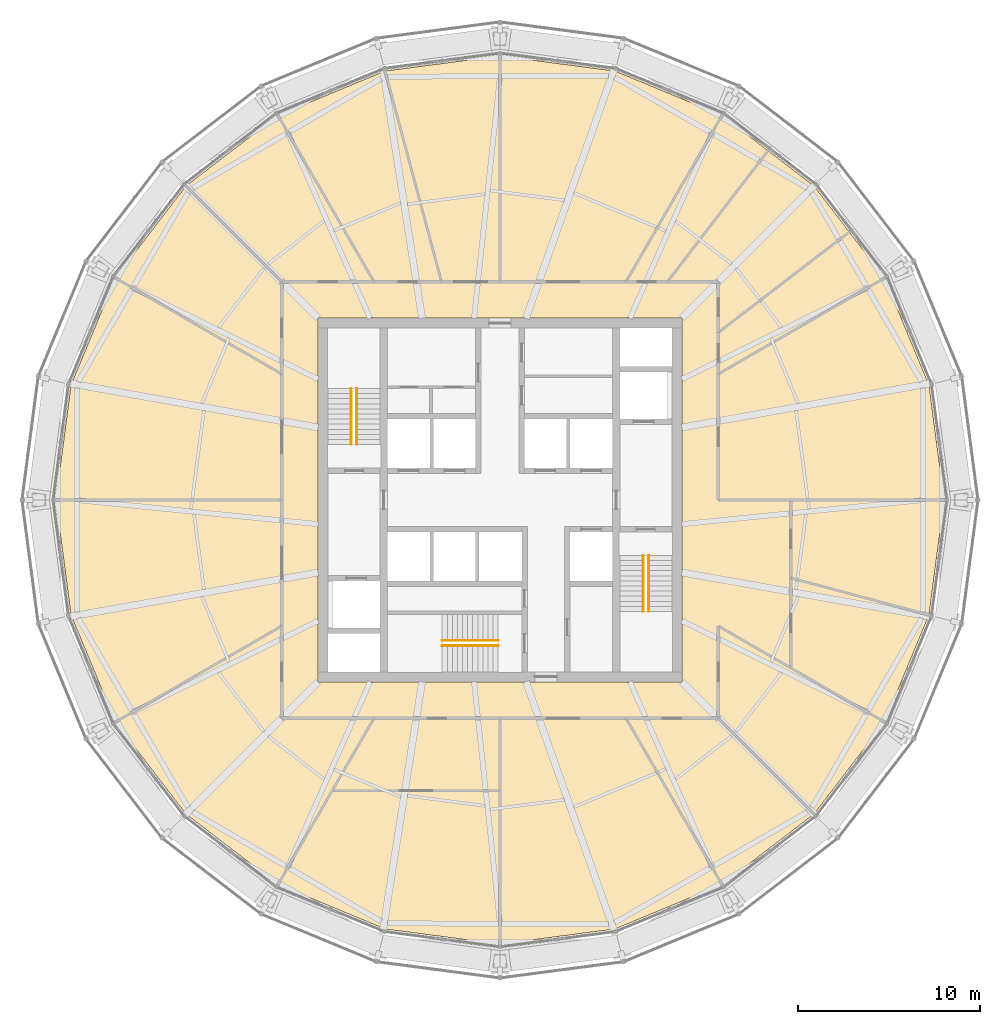
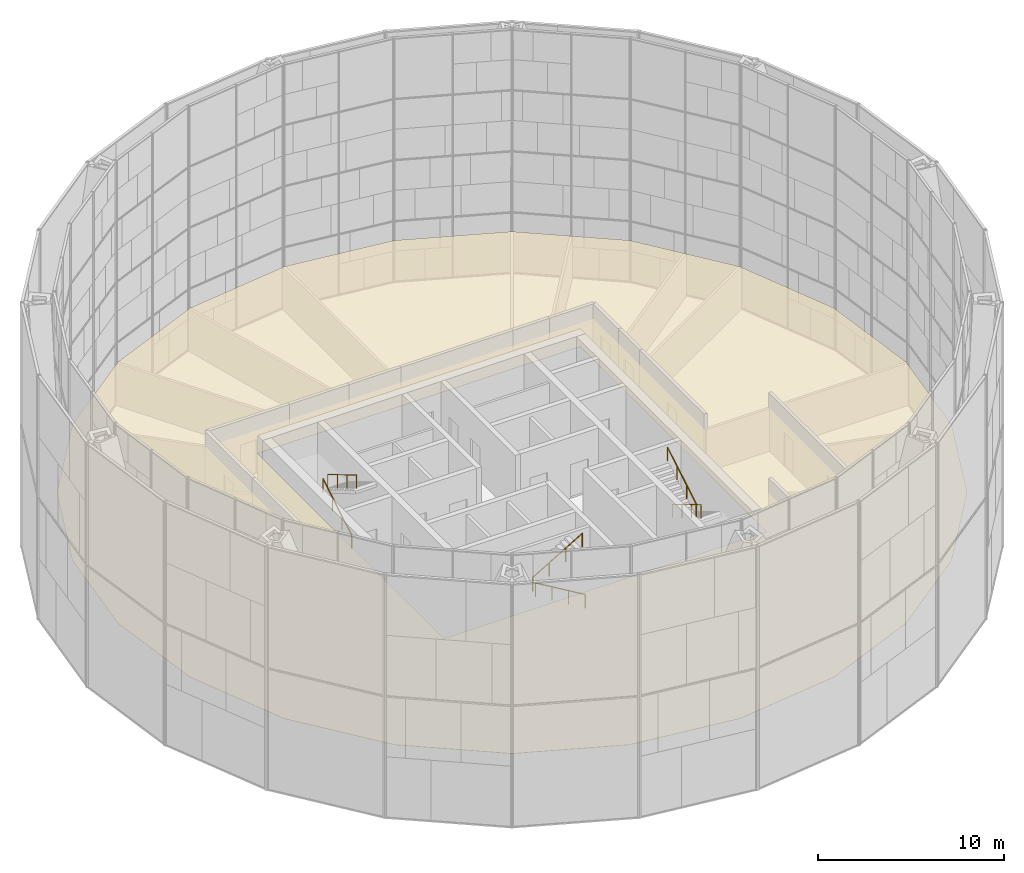
# One storey, part 30 of 30: 6 railings, 1 covering.
"""IFC4 building model written with IfcOpenShell, lengths in metres."""

import ifcopenshell
import ifcopenshell.guid

model = None  # the IFC model being written
_history = None  # IfcOwnerHistory: only IFC2X3 demands one
_inside = {}  # id of a spatial element -> (the spatial element, [elements in it])
_under = {}  # id of a project, library or spatial element -> (it, [spatial elements below it])
_declared = {}  # id of a project -> (the project, [libraries it declares])
_typed = {}  # id of a type object -> (the type object, [elements of that type])
_made_of = {}  # id of a material, layer set ... -> (it, [elements and type objects made of it])


def new_model(schema):
    """Start an empty IFC model of exactly this schema.

    Asked for "IFC4X3", IfcOpenShell would pick the latest addendum, in which some entities
    have other attributes; the version numbers below select the first issue.
    IFC2X3 requires an IfcOwnerHistory on every rooted entity: one is made here for all.
    """
    global model, _history
    if schema == "IFC4X3":
        model = ifcopenshell.file(schema_version=(4, 3, 0, 0))
    else:
        model = ifcopenshell.file(schema=schema)
    _inside.clear()
    _under.clear()
    _declared.clear()
    _typed.clear()
    _made_of.clear()
    _history = None
    if model.schema == "IFC2X3":
        org = make("IfcOrganization", Name="unknown")
        user = make(
            "IfcPersonAndOrganization",
            ThePerson=make("IfcPerson", FamilyName="unknown"),
            TheOrganization=org,
        )
        app = make(
            "IfcApplication",
            ApplicationDeveloper=org,
            Version="unknown",
            ApplicationFullName="unknown",
            ApplicationIdentifier="unknown",
        )
        _history = make(
            "IfcOwnerHistory",
            OwningUser=user,
            OwningApplication=app,
            ChangeAction="ADDED",
            CreationDate=0,
        )
    return model


def make(cls, **values):
    """One entity of the class cls with the attributes given. An attribute that is None is left unset."""
    return model.create_entity(
        cls, **{name: value for name, value in values.items() if value is not None}
    )


def rooted(cls, **values):
    """An entity with a GlobalId (a new one), such as an element, a storey or a relation."""
    return make(cls, GlobalId=ifcopenshell.guid.new(), OwnerHistory=_history, **values)


def si_unit(unit_type, name, prefix=None):
    """IfcSIUnit, for example si_unit("LENGTHUNIT", "METRE", prefix="MILLI")."""
    return make("IfcSIUnit", UnitType=unit_type, Prefix=prefix, Name=name)


def assignment(units):
    """IfcUnitAssignment: the units of a project."""
    return None if units is None else make("IfcUnitAssignment", Units=units)


def point(xyz):
    """IfcCartesianPoint."""
    return None if xyz is None else make("IfcCartesianPoint", Coordinates=xyz)


def direction(xyz):
    """IfcDirection."""
    return None if xyz is None else make("IfcDirection", DirectionRatios=xyz)


def frame(location, z_axis=None, x_axis=None):
    """IfcAxis2Placement3D, a coordinate frame: its origin and axes. An axis left out is left unset."""
    return make(
        "IfcAxis2Placement3D",
        Location=point(location),
        Axis=direction(z_axis),
        RefDirection=direction(x_axis),
    )


def frame_2d(location, x_axis=None):
    """IfcAxis2Placement2D, a coordinate frame in the plane: its origin and x axis."""
    return make(
        "IfcAxis2Placement2D", Location=point(location), RefDirection=direction(x_axis)
    )


def origin():
    """The frame at (0, 0, 0) with its axes left unset."""
    return frame((0.0, 0.0, 0.0))


def origin_2d():
    """The frame at (0, 0) in the plane with its x axis left unset."""
    return frame_2d((0.0, 0.0))


def place(relative_to, where):
    """IfcLocalPlacement: puts the frame where relative to a parent placement (None: the world)."""
    return make(
        "IfcLocalPlacement", PlacementRelTo=relative_to, RelativePlacement=where
    )


def context(
    kind, dimensions, precision=None, world=None, true_north=None, identifier=None
):
    """IfcGeometricRepresentationContext, for example the 3D "Model" context."""
    return make(
        "IfcGeometricRepresentationContext",
        ContextIdentifier=identifier,
        ContextType=kind,
        CoordinateSpaceDimension=dimensions,
        Precision=precision,
        WorldCoordinateSystem=world,
        TrueNorth=true_north,
    )


def subcontext(parent, identifier, kind, view, scale=None):
    """IfcGeometricRepresentationSubContext, for example "Body" below "Model"."""
    return make(
        "IfcGeometricRepresentationSubContext",
        ContextIdentifier=identifier,
        ContextType=kind,
        ParentContext=parent,
        TargetScale=scale,
        TargetView=view,
    )


def project(units=None, contexts=None):
    """IfcProject with its units and contexts."""
    return rooted(
        "IfcProject",
        Name="project",
        RepresentationContexts=contexts,
        UnitsInContext=assignment(units),
    )


def spatial(cls, under=None, at=None, **own):
    """A site, building, storey or space (cls), placed at a placement, below another one or the project."""
    s = rooted(cls, ObjectPlacement=at, **own)
    if under is not None:
        _under.setdefault(under.id(), (under, []))[1].append(s)
    return s


def polyline(points):
    """IfcPolyline through the points."""
    return make("IfcPolyline", Points=[point(p) for p in points])


def profile(cls, at=None, kind="AREA", **sizes):
    """A parametric profile (cls). Its sizes go by their IFC names, for example OverallWidth=200.0."""
    return make(cls, ProfileType=kind, Position=at, **sizes)


def circle(**sizes):
    """IfcCircleProfileDef."""
    return profile("IfcCircleProfileDef", **sizes)


def outline(outer, holes=None, kind="AREA"):
    """IfcArbitraryClosedProfileDef: a profile drawn as a closed curve; with holes, ...WithVoids."""
    if holes is None:
        return make("IfcArbitraryClosedProfileDef", ProfileType=kind, OuterCurve=outer)
    return make(
        "IfcArbitraryProfileDefWithVoids",
        ProfileType=kind,
        OuterCurve=outer,
        InnerCurves=holes,
    )


def extrude(swept, where, along, depth):
    """IfcExtrudedAreaSolid: the profile swept, set in the frame where, extruded along a direction by depth."""
    return make(
        "IfcExtrudedAreaSolid",
        SweptArea=swept,
        Position=where,
        ExtrudedDirection=direction(along),
        Depth=depth,
    )


def shape(context_of_items, identifier, shape_type, items):
    """IfcShapeRepresentation: the items that make up one representation, for example the "Body"."""
    return make(
        "IfcShapeRepresentation",
        ContextOfItems=context_of_items,
        RepresentationIdentifier=identifier,
        RepresentationType=shape_type,
        Items=items,
    )


def material(Name=None, Category=None):
    """IfcMaterial."""
    return make("IfcMaterial", Name=Name, Category=Category)


def layer(
    of_material, thickness, ventilated=None, Name=None, Category=None, Priority=None
):
    """IfcMaterialLayer: one layer of a wall or slab, of a material (None: an air gap)."""
    return make(
        "IfcMaterialLayer",
        Material=of_material,
        LayerThickness=thickness,
        IsVentilated=ventilated,
        Name=Name,
        Category=Category,
        Priority=Priority,
    )


def layer_set(layers, Name=None):
    """IfcMaterialLayerSet."""
    return make("IfcMaterialLayerSet", MaterialLayers=layers, LayerSetName=Name)


def made_of(thing, what):
    """Note that an element or type object is made of a material, layer set ...; save() writes the relation."""
    if what is not None:
        _made_of.setdefault(what.id(), (what, []))[1].append(thing)
    return thing


def type_object(cls, material=None, **own):
    """A type object (cls), such as IfcWallType, which elements share."""
    return made_of(rooted(cls, **own), material)


def element(
    cls,
    number,
    at=None,
    inside=None,
    cuts=None,
    type_object=None,
    material=None,
    context=None,
    identifier="Body",
    shape_type=None,
    held_by="IfcProductDefinitionShape",
    body=None,
    shapes=None,
    **own,
):
    """One element of the class cls, such as IfcWall. Its Tag is "e" and its number.

    at: its placement. inside: the storey or other place that contains it. cuts: it is an
    opening in that element (IfcRelVoidsElement). A single representation is given by context,
    identifier, shape_type and body (its items); several are given by shapes. held_by: the class
    of the entity that holds the representations. save() writes the other relations.
    """
    e = rooted(cls, Tag="e%d" % number, ObjectPlacement=at, **own)
    if body is not None:
        shapes = [shape(context, identifier, shape_type, body)]
    if shapes is not None:
        e.Representation = make(held_by, Representations=shapes)
    if inside is not None:
        _inside.setdefault(inside.id(), (inside, []))[1].append(e)
    if cuts is not None:
        rooted(
            "IfcRelVoidsElement", RelatingBuildingElement=cuts, RelatedOpeningElement=e
        )
    if type_object is not None:
        _typed.setdefault(type_object.id(), (type_object, []))[1].append(e)
    return made_of(e, material)


def aggregate(whole, parts):
    """IfcRelAggregates: a whole, such as a stair, and the parts it consists of."""
    return rooted("IfcRelAggregates", RelatingObject=whole, RelatedObjects=parts)


def save(model, path):
    """Write the relations noted so far, then the file.

    IfcRelAggregates (storeys below a building ...), IfcRelContainedInSpatialStructure (elements
    in a storey), IfcRelDefinesByType, IfcRelAssociatesMaterial and IfcRelDeclares: one each for
    every whole, place, type object, material and project.
    """
    for whole, parts in _under.values():
        aggregate(whole, parts)
    for where, things in _inside.values():
        rooted(
            "IfcRelContainedInSpatialStructure",
            RelatedElements=things,
            RelatingStructure=where,
        )
    for kind, things in _typed.values():
        rooted("IfcRelDefinesByType", RelatedObjects=things, RelatingType=kind)
    for what, things in _made_of.values():
        rooted("IfcRelAssociatesMaterial", RelatedObjects=things, RelatingMaterial=what)
    for by, libraries in _declared.values():
        rooted("IfcRelDeclares", RelatingContext=by, RelatedDefinitions=libraries)
    model.write(path)


model = new_model("IFC4")

# Units and contexts
model_context = context("Model", 3, precision=1e-05, world=origin(), true_north=direction((0.0, 1.0)))
body_context = subcontext(model_context, "Body", "Model", "MODEL_VIEW")
ifc_project = project(units=[si_unit("LENGTHUNIT", "METRE"), si_unit("AREAUNIT", "SQUARE_METRE"), si_unit("VOLUMEUNIT", "CUBIC_METRE"), si_unit("PLANEANGLEUNIT", "RADIAN"), si_unit("MASSUNIT", "GRAM", prefix="KILO")], contexts=[model_context])

# Site, building, storey
site_placement = place(None, origin())
site = spatial("IfcSite", under=ifc_project, at=site_placement, CompositionType="ELEMENT")
building_placement = place(site_placement, origin())
building = spatial("IfcBuilding", under=site, at=building_placement, Name="Golbaran Civic Tower", CompositionType="ELEMENT")
storey_placement = place(building_placement, frame((0.0, 0.0, 102.0)))
storey = spatial("IfcBuildingStorey", under=building, at=storey_placement, Name="L24", CompositionType="ELEMENT", Elevation=102.0)

# Railings
ifc_material_1 = material(Name="Stainless steel", Category="steel")
railing_type = type_object("IfcRailingType", Name="STAIR HANDRAIL 900", PredefinedType="HANDRAIL", material=ifc_material_1)
railing_1_placement = place(storey_placement, frame((-8.175048828125, 3.050048828125, 0.166748046875)))
element("IfcRailing", 1, at=railing_1_placement, inside=storey, type_object=railing_type, Name="Stair S1 handrail flight 1 L24", PredefinedType="HANDRAIL", context=body_context, shape_type="SweptSolid", body=[
    extrude(circle(Radius=0.02392578125, at=origin_2d()), frame((0.0, 0.0, 0.8759765625), z_axis=(0.0, 0.859290745958, 0.51148745235), x_axis=(-1.0, 0.0, 0.0)), (0.0, 0.0, 1.0), 3.584228515625),
    extrude(circle(Radius=0.02099609375, at=origin_2d()), origin(), (0.0, 0.0, 1.0), 0.851806640625),
    extrude(circle(Radius=0.02099609375, at=origin_2d()), frame((0.0, 1.026611328125, 0.611083984375)), (0.0, 0.0, 1.0), 0.851806640625),
    extrude(circle(Radius=0.02099609375, at=origin_2d()), frame((0.0, 2.05322265625, 1.22216796875)), (0.0, 0.0, 1.0), 0.851806640625),
    extrude(circle(Radius=0.02099609375, at=origin_2d()), frame((0.0, 3.079833984375, 1.833251953125)), (0.0, 0.0, 1.0), 0.851806640625),
])
for number, where, name in (
    (2, (-7.875, 6.1298828125, 2.166748046875), "Stair S1 handrail flight 2 L24"),
    (3, (8.175048828125, -3.050048828125, 0.166748046875), "Stair S2 handrail flight 1 L24"),
):
    element("IfcRailing", number, at=place(storey_placement, frame(where)), inside=storey, type_object=railing_type, Name=name, PredefinedType="HANDRAIL", context=body_context, shape_type="SweptSolid", body=[
        extrude(circle(Radius=0.02392578125, at=origin_2d()), frame((0.0, 0.0, 0.8759765625), z_axis=(0.0, -0.859290745958, 0.51148745235), x_axis=(1.0, 0.0, 0.0)), (0.0, 0.0, 1.0), 3.584228515625),
        extrude(circle(Radius=0.02099609375, at=origin_2d()), origin(), (0.0, 0.0, 1.0), 0.851806640625),
        extrude(circle(Radius=0.02099609375, at=origin_2d()), frame((0.0, -1.026611328125, 0.611083984375)), (0.0, 0.0, 1.0), 0.851806640625),
        extrude(circle(Radius=0.02099609375, at=origin_2d()), frame((0.0, -2.05322265625, 1.22216796875)), (0.0, 0.0, 1.0), 0.851806640625),
        extrude(circle(Radius=0.02099609375, at=origin_2d()), frame((0.0, -3.079833984375, 1.833251953125)), (0.0, 0.0, 1.0), 0.851806640625),
    ])
railing_2_placement = place(storey_placement, frame((7.875, -6.1298828125, 2.166748046875)))
element("IfcRailing", 4, at=railing_2_placement, inside=storey, type_object=railing_type, Name="Stair S2 handrail flight 2 L24", PredefinedType="HANDRAIL", context=body_context, shape_type="SweptSolid", body=[
    extrude(circle(Radius=0.02392578125, at=origin_2d()), frame((0.0, 0.0, 0.8759765625), z_axis=(0.0, 0.859290745958, 0.51148745235), x_axis=(-1.0, 0.0, 0.0)), (0.0, 0.0, 1.0), 3.584228515625),
    extrude(circle(Radius=0.02099609375, at=origin_2d()), origin(), (0.0, 0.0, 1.0), 0.851806640625),
    extrude(circle(Radius=0.02099609375, at=origin_2d()), frame((0.0, 1.026611328125, 0.611083984375)), (0.0, 0.0, 1.0), 0.851806640625),
    extrude(circle(Radius=0.02099609375, at=origin_2d()), frame((0.0, 2.05322265625, 1.22216796875)), (0.0, 0.0, 1.0), 0.851806640625),
    extrude(circle(Radius=0.02099609375, at=origin_2d()), frame((0.0, 3.079833984375, 1.833251953125)), (0.0, 0.0, 1.0), 0.851806640625),
])
railing_3_placement = place(storey_placement, frame((-0.10009765625, -8.02490234375, 0.166748046875)))
element("IfcRailing", 5, at=railing_3_placement, inside=storey, type_object=railing_type, Name="Stair S3 handrail flight 1 L24", PredefinedType="HANDRAIL", context=body_context, shape_type="SweptSolid", body=[
    extrude(circle(Radius=0.02392578125, at=origin_2d()), frame((0.0, 0.0, 0.8759765625), z_axis=(-0.859290745958, 0.0, 0.51148745235), x_axis=(0.0, -1.0, 0.0)), (0.0, 0.0, 1.0), 3.584228515625),
    extrude(circle(Radius=0.02099609375, at=origin_2d()), origin(), (0.0, 0.0, 1.0), 0.851806640625),
    extrude(circle(Radius=0.02099609375, at=origin_2d()), frame((-1.026611328125, 0.0, 0.611083984375)), (0.0, 0.0, 1.0), 0.851806640625),
    extrude(circle(Radius=0.02099609375, at=origin_2d()), frame((-2.05322265625, 0.0, 1.22216796875)), (0.0, 0.0, 1.0), 0.851806640625),
    extrude(circle(Radius=0.02099609375, at=origin_2d()), frame((-3.079833984375, 0.0, 1.833251953125)), (0.0, 0.0, 1.0), 0.851806640625),
])
railing_4_placement = place(storey_placement, frame((-3.179931640625, -7.72509765625, 2.166748046875)))
element("IfcRailing", 6, at=railing_4_placement, inside=storey, type_object=railing_type, Name="Stair S3 handrail flight 2 L24", PredefinedType="HANDRAIL", context=body_context, shape_type="SweptSolid", body=[
    extrude(circle(Radius=0.02392578125, at=origin_2d()), frame((0.0, 0.0, 0.8759765625), z_axis=(0.859290745958, 0.0, 0.51148745235), x_axis=(0.0, 1.0, 0.0)), (0.0, 0.0, 1.0), 3.584228515625),
    extrude(circle(Radius=0.02099609375, at=origin_2d()), origin(), (0.0, 0.0, 1.0), 0.851806640625),
    extrude(circle(Radius=0.02099609375, at=origin_2d()), frame((1.026611328125, 0.0, 0.611083984375)), (0.0, 0.0, 1.0), 0.851806640625),
    extrude(circle(Radius=0.02099609375, at=origin_2d()), frame((2.05322265625, 0.0, 1.22216796875)), (0.0, 0.0, 1.0), 0.851806640625),
    extrude(circle(Radius=0.02099609375, at=origin_2d()), frame((3.079833984375, 0.0, 1.833251953125)), (0.0, 0.0, 1.0), 0.851806640625),
])

# Covering
ifc_material_2 = material(Name="Mineral fibre tile on steel grid", Category="steel")
ifc_layer = layer(ifc_material_2, 0.02001953125, Name="Mineral fibre tile on steel grid")
ifc_layer_set = layer_set([ifc_layer], Name="Mineral fibre tile on steel grid")
covering_type = type_object("IfcCoveringType", Name="SUSPENDED CEILING 600 TILE 20", PredefinedType="CEILING", material=ifc_layer_set)
covering_placement = place(storey_placement, frame((0.0, 0.0, 2.800048828125)))
element("IfcCovering", 7, at=covering_placement, inside=storey, type_object=covering_type, Name="Suspended ceiling L24", PredefinedType="CEILING", context=body_context, shape_type="SweptSolid", body=[
    extrude(outline(polyline([(-17.273193359375, 17.273193359375), (-12.214111328125, 21.1552734375), (-6.322509765625, 23.595703125), (0.0, 24.427978515625), (6.322509765625, 23.595703125), (12.214111328125, 21.1552734375), (17.273193359375, 17.273193359375), (19.274658203125, 14.6650390625), (21.1552734375, 12.214111328125), (23.595703125, 6.322509765625), (24.427978515625, 0.0), (23.595703125, -6.322509765625), (21.1552734375, -12.214111328125), (17.273193359375, -17.273193359375), (12.214111328125, -21.1552734375), (6.322509765625, -23.595703125), (0.0, -24.427978515625), (-6.322509765625, -23.595703125), (-12.214111328125, -21.1552734375), (-17.273193359375, -17.273193359375), (-21.1552734375, -12.214111328125), (-23.595703125, -6.322509765625), (-24.427978515625, 0.0), (-23.595703125, 6.322509765625), (-21.1552734375, 12.214111328125), (-17.273193359375, 17.273193359375)]), holes=[polyline([(-10.0, -10.0), (10.0, -10.0), (10.0, 10.0), (-10.0, 10.0), (-10.0, -10.0)])]), origin(), (0.0, 0.0, 1.0), 0.02001953125),
])

save(model, "model.ifc")
